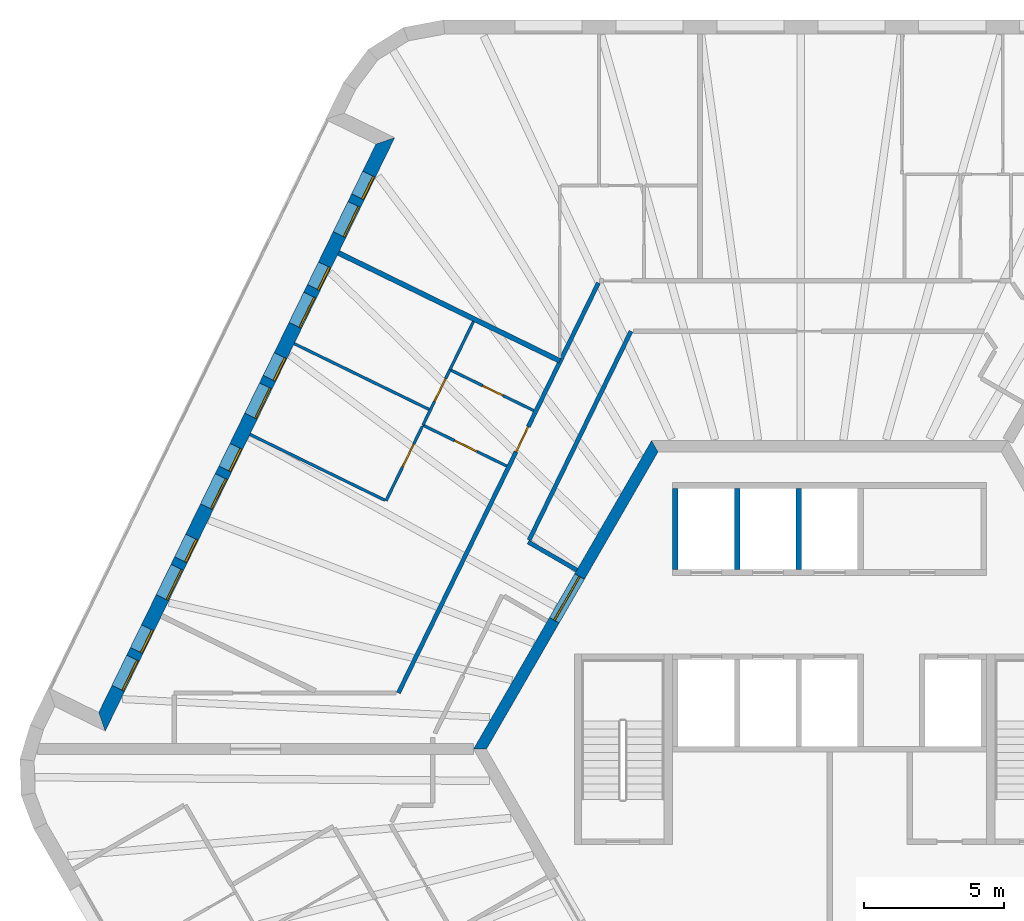
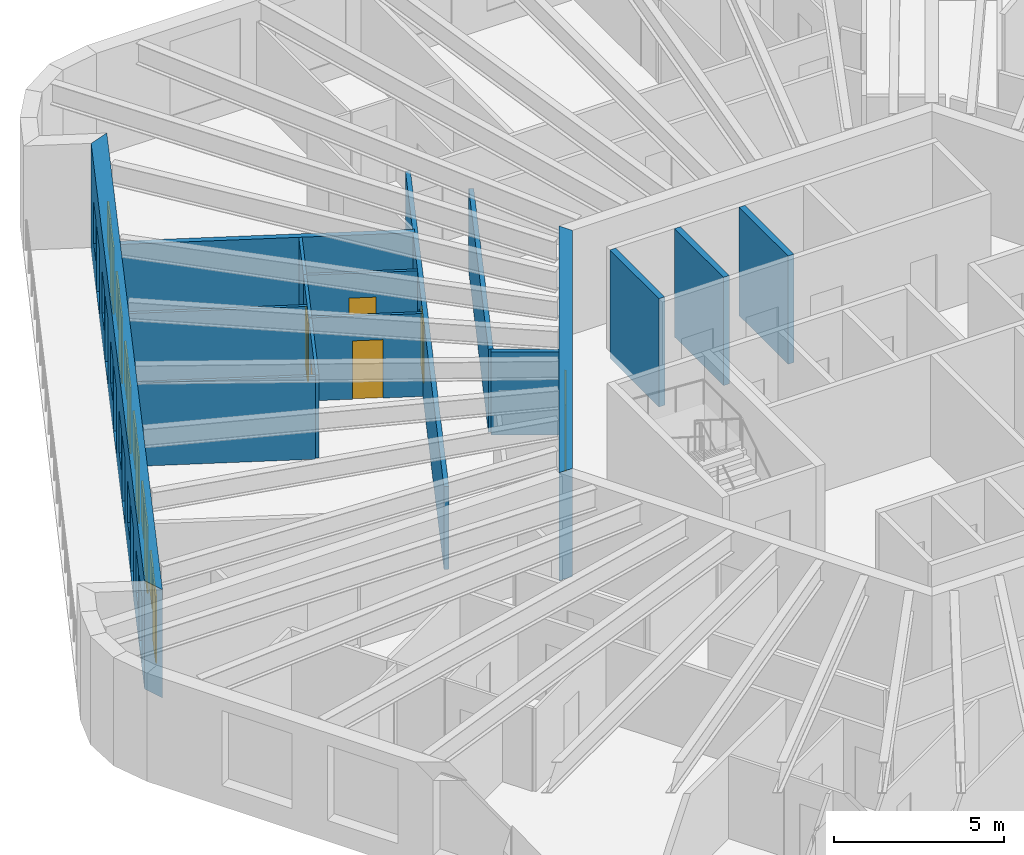
# One storey, part 8 of 12: 16 walls, 12 doors, 6 windows, 18 openings.
"""IFC4 building model written with IfcOpenShell, lengths in metres."""

from ifc_helpers import new_model, si_unit, direction, frame, frame_2d, origin, place, context, subcontext, project, spatial, polyline, rectangle, outline, extrude, material, layer, layer_set, type_object, element, fill, save


model = new_model("IFC4")

# Units and contexts
model_context = context("Model", 3, precision=1e-05, world=origin(), true_north=direction((0.0, 1.0)))
body_context = subcontext(model_context, "Body", "Model", "MODEL_VIEW")
ifc_project = project(units=[si_unit("LENGTHUNIT", "METRE"), si_unit("AREAUNIT", "SQUARE_METRE"), si_unit("VOLUMEUNIT", "CUBIC_METRE"), si_unit("PLANEANGLEUNIT", "RADIAN"), si_unit("MASSUNIT", "GRAM", prefix="KILO")], contexts=[model_context])

# Site, building, storey
site_placement = place(None, origin())
site = spatial("IfcSite", under=ifc_project, at=site_placement, CompositionType="ELEMENT")
building_placement = place(site_placement, origin())
building = spatial("IfcBuilding", under=site, at=building_placement, Name="Tarnside Tower", CompositionType="ELEMENT")
storey_placement = place(building_placement, frame((0.0, 0.0, 322.5)))
storey = spatial("IfcBuildingStorey", under=building, at=storey_placement, Name="L78", CompositionType="ELEMENT", Elevation=322.5)

# Wall, opening, door
ifc_material_1 = material(Name="Gypsum board partition on steel studs", Category="steel")
ifc_layer_1 = layer(ifc_material_1, 0.10009765625)
ifc_layer_set_1 = layer_set([ifc_layer_1], Name="Bathroom wall 100")
wall_type_1 = type_object("IfcWallType", Name="Bathroom wall 100", PredefinedType="PARTITIONING", material=ifc_layer_set_1)
wall_1_placement = place(storey_placement, frame((-10.551025390625, 12.07177734375, 0.0), z_axis=(0.0, 0.0, 1.0), x_axis=(-0.898803726577, 0.438351298723, 0.0)))
wall_1 = element("IfcWall", 1, at=wall_1_placement, inside=storey, type_object=wall_type_1, Name="Bathroom wall 25108", PredefinedType="PARTITIONING", context=body_context, shape_type="SweptSolid", body=[
    extrude(rectangle(XDim=3.324951171875, YDim=0.10009765625, at=frame_2d((1.66259765625, 0.0))), origin(), (0.0, 0.0, 1.0), 2.98779296875),
])
opening_1_placement = place(wall_1_placement, frame((1.22509765625, 0.0, 0.0)))
opening_1 = element("IfcOpeningElement", 2, at=opening_1_placement, cuts=wall_1, Name="Opening D-B1", PredefinedType="OPENING", context=body_context, shape_type="SweptSolid", body=[
    extrude(rectangle(XDim=0.800048828125, YDim=2.10009765625, at=frame_2d((0.39990234375, 1.050048828125))), frame((0.0, 0.06005859375, 0.0), z_axis=(0.0, -1.0, 0.0), x_axis=(1.0, 0.0, 0.0)), (0.0, 0.0, 1.0), 0.1201171875),
])
ifc_material_2 = material(Name="Timber door leaf", Category="wood")
door_type_1 = type_object("IfcDoorType", Name="Bathroom door 800", OperationType="NOTDEFINED", PredefinedType="DOOR", material=ifc_material_2)
door_1_placement = place(opening_1_placement, origin())
door_1 = element("IfcDoor", 3, at=door_1_placement, inside=storey, type_object=door_type_1, Name="Bathroom door 25017", OperationType="SINGLE_SWING_RIGHT", OverallHeight=2.10009765625, OverallWidth=0.800048828125, PredefinedType="DOOR", context=body_context, shape_type="SweptSolid", body=[
    extrude(rectangle(XDim=0.800048828125, YDim=2.10009765625, at=frame_2d((0.39990234375, 1.050048828125))), frame((0.0, 0.02490234375, 0.0), z_axis=(0.0, -1.0, 0.0), x_axis=(1.0, 0.0, 0.0)), (0.0, 0.0, 1.0), 0.050048828125),
])
fill(opening_1, door_1)

# Wall
wall_2_placement = place(storey_placement, frame((-12.7021484375, 15.245849609375, 0.0), z_axis=(0.0, 0.0, 1.0), x_axis=(-0.438355705964, -0.898801577128, 0.0)))
element("IfcWall", 4, at=wall_2_placement, inside=storey, type_object=wall_type_1, Name="Bathroom wall 25111", PredefinedType="PARTITIONING", context=body_context, shape_type="SweptSolid", body=[
    extrude(rectangle(XDim=1.912109375, YDim=0.10009765625, at=frame_2d((0.9560546875, 0.0))), origin(), (0.0, 0.0, 1.0), 2.98779296875),
])

# Wall, opening, door
ifc_material_3 = material(Name="Concrete C60/75", Category="concrete")
ifc_layer_2 = layer(ifc_material_3, 0.39990234375)
ifc_layer_set_2 = layer_set([ifc_layer_2], Name="Core wall Z3 400 C60/75")
wall_type_2 = type_object("IfcWallType", Name="Core wall Z3 400 C60/75", PredefinedType="SHEAR", material=ifc_layer_set_2)
wall_3_placement = place(storey_placement, frame((-6.2353515625, 10.800048828125, -0.14990234375), z_axis=(0.0, 0.0, 1.0), x_axis=(-0.499996419489, -0.866027470984, 0.0)))
wall_3 = element("IfcWall", 5, at=wall_3_placement, inside=storey, type_object=wall_type_2, Name="L78 core wall face 2", PredefinedType="SHEAR", context=body_context, shape_type="SweptSolid", body=[
    extrude(outline(polyline([(-0.115478515625, -0.199951171875), (12.586181640625, -0.199951171875), (12.355224609375, 0.199951171875), (0.115478515625, 0.199951171875), (-0.115478515625, -0.199951171875)])), origin(), (0.0, 0.0, 1.0), 3.89990234375),
])
opening_2_placement = place(wall_3_placement, frame((5.3642578125, 0.0, 0.14990234375)))
opening_2 = element("IfcOpeningElement", 6, at=opening_2_placement, cuts=wall_3, Name="Opening CD-LOB", PredefinedType="OPENING", context=body_context, shape_type="SweptSolid", body=[
    extrude(rectangle(XDim=1.800048828125, YDim=2.39990234375, at=frame_2d((0.89990234375, 1.199951171875))), frame((0.0, 0.2099609375, 0.0), z_axis=(0.0, -1.0, 0.0), x_axis=(1.0, 0.0, 0.0)), (0.0, 0.0, 1.0), 0.419921875),
])
ifc_material_4 = material(Name="Steel fire door", Category="steel")
door_type_2 = type_object("IfcDoorType", Name="Lobby double door FD30S 1800x2400", OperationType="NOTDEFINED", PredefinedType="DOOR", material=ifc_material_4)
door_2_placement = place(opening_2_placement, origin())
door_2 = element("IfcDoor", 7, at=door_2_placement, inside=storey, type_object=door_type_2, Name="L78 core door P1", OperationType="DOUBLE_DOOR_SINGLE_SWING", OverallHeight=2.39990234375, OverallWidth=1.800048828125, PredefinedType="DOOR", context=body_context, shape_type="SweptSolid", body=[
    extrude(rectangle(XDim=1.800048828125, YDim=2.39990234375, at=frame_2d((0.89990234375, 1.199951171875))), frame((0.0, 0.02490234375, 0.0), z_axis=(0.0, -1.0, 0.0), x_axis=(1.0, 0.0, 0.0)), (0.0, 0.0, 1.0), 0.050048828125),
])
fill(opening_2, door_2)

ifc_layer_3 = layer(ifc_material_1, 0.14990234375)
ifc_layer_set_3 = layer_set([ifc_layer_3], Name="Corridor wall 150 EI 60")
wall_type_3 = type_object("IfcWallType", Name="Corridor wall 150 EI 60", PredefinedType="PARTITIONING", material=ifc_layer_set_3)
wall_4_placement = place(storey_placement, frame((-8.24658203125, 16.625, 0.0), z_axis=(0.0, 0.0, 1.0), x_axis=(-0.438381655451, -0.898788920806, 0.0)))
wall_4 = element("IfcWall", 8, at=wall_4_placement, inside=storey, type_object=wall_type_3, Name="Corridor wall 25011", PredefinedType="PARTITIONING", context=body_context, shape_type="SweptSolid", body=[
    extrude(rectangle(XDim=16.27197265625, YDim=0.14990234375, at=frame_2d((8.135986328125, 0.0))), origin(), (0.0, 0.0, 1.0), 2.98779296875),
])
opening_3_placement = place(wall_4_placement, frame((5.70263671875, 0.0, 0.0)))
opening_3 = element("IfcOpeningElement", 9, at=opening_3_placement, cuts=wall_4, Name="Opening D-E1", PredefinedType="OPENING", context=body_context, shape_type="SweptSolid", body=[
    extrude(rectangle(XDim=1.0, YDim=2.10009765625, at=frame_2d((0.5, 1.050048828125))), frame((0.0, 0.0849609375, 0.0), z_axis=(0.0, -1.0, 0.0), x_axis=(1.0, 0.0, 0.0)), (0.0, 0.0, 1.0), 0.169921875),
])
door_type_3 = type_object("IfcDoorType", Name="Unit entrance door 1000 FD30S", OperationType="NOTDEFINED", PredefinedType="DOOR", material=ifc_material_2)
door_3_placement = place(opening_3_placement, origin())
door_3 = element("IfcDoor", 10, at=door_3_placement, inside=storey, type_object=door_type_3, Name="Unit door 25016", OperationType="SINGLE_SWING_LEFT", OverallHeight=2.10009765625, OverallWidth=1.0, PredefinedType="DOOR", context=body_context, shape_type="SweptSolid", body=[
    extrude(rectangle(XDim=1.0, YDim=2.10009765625, at=frame_2d((0.5, 1.050048828125))), frame((0.0, 0.02490234375, 0.0), z_axis=(0.0, -1.0, 0.0), x_axis=(1.0, 0.0, 0.0)), (0.0, 0.0, 1.0), 0.050048828125),
])
fill(opening_3, door_3)

# Walls
wall_5_placement = place(storey_placement, frame((-9.015625, 6.38427734375, 0.0), z_axis=(0.0, 0.0, 1.0), x_axis=(-0.866029291668, 0.499993265928, 0.0)))
element("IfcWall", 11, at=wall_5_placement, inside=storey, type_object=wall_type_3, Name="Corridor wall 25019", PredefinedType="PARTITIONING", context=body_context, shape_type="SweptSolid", body=[
    extrude(rectangle(XDim=2.0029296875, YDim=0.14990234375, at=frame_2d((1.00146484375, 0.0))), origin(), (0.0, 0.0, 1.0), 2.98779296875),
])
wall_6_placement = place(storey_placement, frame((-10.71728515625, 7.453369140625, 0.0), z_axis=(0.0, 0.0, 1.0), x_axis=(0.438363251035, 0.898797897273, 0.0)))
element("IfcWall", 12, at=wall_6_placement, inside=storey, type_object=wall_type_3, Name="Corridor wall 25020", PredefinedType="PARTITIONING", context=body_context, shape_type="SweptSolid", body=[
    extrude(rectangle(XDim=8.284912109375, YDim=0.14990234375, at=frame_2d((4.142578125, 0.0))), origin(), (0.0, 0.0, 1.0), 2.98779296875),
])
ifc_layer_4 = layer(ifc_material_1, 0.179931640625)
ifc_layer_set_4 = layer_set([ifc_layer_4], Name="Demising wall 180 EI 60")
wall_type_4 = type_object("IfcWallType", Name="Demising wall 180 EI 60", PredefinedType="PARTITIONING", material=ifc_layer_set_4)
wall_7_placement = place(storey_placement, frame((-17.51611328125, 17.694091796875, 0.0), z_axis=(0.0, 0.0, 1.0), x_axis=(0.898787414812, -0.438384743092, 0.0)))
element("IfcWall", 13, at=wall_7_placement, inside=storey, type_object=wall_type_4, Name="Demising wall 25099", PredefinedType="PARTITIONING", context=body_context, shape_type="SweptSolid", body=[
    extrude(rectangle(XDim=8.781982421875, YDim=0.179931640625, at=frame_2d((4.39111328125, 0.0))), origin(), (0.0, 0.0, 1.0), 2.98779296875),
])
ifc_material_5 = material(Name="Concrete C40/50", Category="concrete")
ifc_layer_5 = layer(ifc_material_5, 0.199951171875)
ifc_layer_set_5 = layer_set([ifc_layer_5], Name="Lift shaft wall 200 C40/50")
wall_type_5 = type_object("IfcWallType", Name="Lift shaft wall 200 C40/50", PredefinedType="SHEAR", material=ifc_layer_set_5)
for number, where, z_axis, x_axis, name in (
    (14, (-5.5, 6.39990234375, -0.25), (0.0, 0.0, 1.0), (0.0, 1.0, 0.0), "L78 lift shaft partition R11"),
    (15, (-3.300048828125, 6.39990234375, -0.25), (0.0, 0.0, 1.0), (0.0, 1.0, 0.0), "L78 lift shaft partition R12"),
    (16, (-1.10009765625, 6.39990234375, -0.25), (0.0, 0.0, 1.0), (0.0, 1.0, 0.0), "L78 lift shaft partition R13"),
):
    element("IfcWall", number, at=place(storey_placement, frame(where, z_axis=z_axis, x_axis=x_axis)), inside=storey, type_object=wall_type_5, Name=name, PredefinedType="SHEAR", context=body_context, shape_type="SweptSolid", body=[
        extrude(rectangle(XDim=2.900146484375, YDim=0.199951171875, at=frame_2d((1.4501953125, 0.0))), origin(), (0.0, 0.0, 1.0), 3.89990234375),
    ])

# Wall, openings, doors, windows
ifc_material_6 = material(Name="Dark zinc cladding")
ifc_layer_6 = layer(ifc_material_6, 0.10205078125)
ifc_material_7 = material(Name="Concrete C60/75 precast", Category="concrete")
ifc_layer_7 = layer(ifc_material_7, 0.298095703125)
ifc_material_8 = material(Name="Mineral wool insulation")
ifc_layer_8 = layer(ifc_material_8, 0.10009765625)
ifc_layer_set_6 = layer_set([ifc_layer_6, ifc_layer_7, ifc_layer_8], Name="Loggia wall 500 zinc faced")
wall_type_6 = type_object("IfcWallType", Name="Loggia wall 500 zinc faced", PredefinedType="SOLIDWALL", material=ifc_layer_set_6)
wall_8_placement = place(storey_placement, frame((-15.845947265625, 21.6884765625, -0.14990234375), z_axis=(0.0, 0.0, 1.0), x_axis=(-0.438377502627, -0.898790946322, 0.0)))
wall_8 = element("IfcWall", 17, at=wall_8_placement, inside=storey, type_object=wall_type_6, Name="Tube wall L78 F2 back 06", PredefinedType="SOLIDWALL", context=body_context, shape_type="SweptSolid", body=[
    extrude(outline(polyline([(0.25, -0.25), (22.794677734375, -0.25), (23.294677734375, 0.25), (-0.25, 0.25), (0.25, -0.25)])), origin(), (0.0, 0.0, 1.0), 3.89990234375),
])
opening_4_placement = place(wall_8_placement, frame((1.322509765625, 0.0, 1.050048828125)))
opening_4 = element("IfcOpeningElement", 18, at=opening_4_placement, cuts=wall_8, Name="Opening WL500", PredefinedType="OPENING", context=body_context, shape_type="SweptSolid", body=[
    extrude(rectangle(XDim=0.89990234375, YDim=1.5, at=frame_2d((0.449951171875, 0.75))), frame((0.0, 0.260009765625, 0.0), z_axis=(0.0, -1.0, 0.0), x_axis=(1.0, 0.0, 0.0)), (0.0, 0.0, 1.0), 0.52001953125),
])
opening_5_placement = place(wall_8_placement, frame((2.5224609375, 0.0, 0.14990234375)))
opening_5 = element("IfcOpeningElement", 19, at=opening_5_placement, cuts=wall_8, Name="Opening DB500", PredefinedType="OPENING", context=body_context, shape_type="SweptSolid", body=[
    extrude(rectangle(XDim=1.199951171875, YDim=2.39990234375, at=frame_2d((0.60009765625, 1.199951171875))), frame((0.0, 0.260009765625, 0.0), z_axis=(0.0, -1.0, 0.0), x_axis=(1.0, 0.0, 0.0)), (0.0, 0.0, 1.0), 0.52001953125),
])
opening_6_placement = place(wall_8_placement, frame((4.92236328125, 0.0, 1.050048828125)))
opening_6 = element("IfcOpeningElement", 20, at=opening_6_placement, cuts=wall_8, Name="Opening WL500", PredefinedType="OPENING", context=body_context, shape_type="SweptSolid", body=[
    extrude(rectangle(XDim=0.89990234375, YDim=1.5, at=frame_2d((0.449951171875, 0.75))), frame((0.0, 0.260009765625, 0.0), z_axis=(0.0, -1.0, 0.0), x_axis=(1.0, 0.0, 0.0)), (0.0, 0.0, 1.0), 0.52001953125),
])
opening_7_placement = place(wall_8_placement, frame((6.122314453125, 0.0, 0.14990234375)))
opening_7 = element("IfcOpeningElement", 21, at=opening_7_placement, cuts=wall_8, Name="Opening DB500", PredefinedType="OPENING", context=body_context, shape_type="SweptSolid", body=[
    extrude(rectangle(XDim=1.199951171875, YDim=2.39990234375, at=frame_2d((0.60009765625, 1.199951171875))), frame((0.0, 0.260009765625, 0.0), z_axis=(0.0, -1.0, 0.0), x_axis=(1.0, 0.0, 0.0)), (0.0, 0.0, 1.0), 0.52001953125),
])
opening_8_placement = place(wall_8_placement, frame((8.5224609375, 0.0, 1.050048828125)))
opening_8 = element("IfcOpeningElement", 22, at=opening_8_placement, cuts=wall_8, Name="Opening WL500", PredefinedType="OPENING", context=body_context, shape_type="SweptSolid", body=[
    extrude(rectangle(XDim=0.89990234375, YDim=1.5, at=frame_2d((0.449951171875, 0.75))), frame((0.0, 0.260009765625, 0.0), z_axis=(0.0, -1.0, 0.0), x_axis=(1.0, 0.0, 0.0)), (0.0, 0.0, 1.0), 0.52001953125),
])
opening_9_placement = place(wall_8_placement, frame((9.722412109375, 0.0, 0.14990234375)))
opening_9 = element("IfcOpeningElement", 23, at=opening_9_placement, cuts=wall_8, Name="Opening DB500", PredefinedType="OPENING", context=body_context, shape_type="SweptSolid", body=[
    extrude(rectangle(XDim=1.199951171875, YDim=2.39990234375, at=frame_2d((0.60009765625, 1.199951171875))), frame((0.0, 0.260009765625, 0.0), z_axis=(0.0, -1.0, 0.0), x_axis=(1.0, 0.0, 0.0)), (0.0, 0.0, 1.0), 0.52001953125),
])
opening_10_placement = place(wall_8_placement, frame((12.122314453125, 0.0, 1.050048828125)))
opening_10 = element("IfcOpeningElement", 24, at=opening_10_placement, cuts=wall_8, Name="Opening WL500", PredefinedType="OPENING", context=body_context, shape_type="SweptSolid", body=[
    extrude(rectangle(XDim=0.89990234375, YDim=1.5, at=frame_2d((0.449951171875, 0.75))), frame((0.0, 0.260009765625, 0.0), z_axis=(0.0, -1.0, 0.0), x_axis=(1.0, 0.0, 0.0)), (0.0, 0.0, 1.0), 0.52001953125),
])
opening_11_placement = place(wall_8_placement, frame((13.322509765625, 0.0, 0.14990234375)))
opening_11 = element("IfcOpeningElement", 25, at=opening_11_placement, cuts=wall_8, Name="Opening DB500", PredefinedType="OPENING", context=body_context, shape_type="SweptSolid", body=[
    extrude(rectangle(XDim=1.199951171875, YDim=2.39990234375, at=frame_2d((0.60009765625, 1.199951171875))), frame((0.0, 0.260009765625, 0.0), z_axis=(0.0, -1.0, 0.0), x_axis=(1.0, 0.0, 0.0)), (0.0, 0.0, 1.0), 0.52001953125),
])
opening_12_placement = place(wall_8_placement, frame((15.722412109375, 0.0, 1.050048828125)))
opening_12 = element("IfcOpeningElement", 26, at=opening_12_placement, cuts=wall_8, Name="Opening WL500", PredefinedType="OPENING", context=body_context, shape_type="SweptSolid", body=[
    extrude(rectangle(XDim=0.89990234375, YDim=1.5, at=frame_2d((0.449951171875, 0.75))), frame((0.0, 0.260009765625, 0.0), z_axis=(0.0, -1.0, 0.0), x_axis=(1.0, 0.0, 0.0)), (0.0, 0.0, 1.0), 0.52001953125),
])
opening_13_placement = place(wall_8_placement, frame((16.92236328125, 0.0, 0.14990234375)))
opening_13 = element("IfcOpeningElement", 27, at=opening_13_placement, cuts=wall_8, Name="Opening DB500", PredefinedType="OPENING", context=body_context, shape_type="SweptSolid", body=[
    extrude(rectangle(XDim=1.199951171875, YDim=2.39990234375, at=frame_2d((0.60009765625, 1.199951171875))), frame((0.0, 0.260009765625, 0.0), z_axis=(0.0, -1.0, 0.0), x_axis=(1.0, 0.0, 0.0)), (0.0, 0.0, 1.0), 0.52001953125),
])
opening_14_placement = place(wall_8_placement, frame((19.322509765625, 0.0, 1.050048828125)))
opening_14 = element("IfcOpeningElement", 28, at=opening_14_placement, cuts=wall_8, Name="Opening WL500", PredefinedType="OPENING", context=body_context, shape_type="SweptSolid", body=[
    extrude(rectangle(XDim=0.89990234375, YDim=1.5, at=frame_2d((0.449951171875, 0.75))), frame((0.0, 0.260009765625, 0.0), z_axis=(0.0, -1.0, 0.0), x_axis=(1.0, 0.0, 0.0)), (0.0, 0.0, 1.0), 0.52001953125),
])
opening_15_placement = place(wall_8_placement, frame((20.5224609375, 0.0, 0.14990234375)))
opening_15 = element("IfcOpeningElement", 29, at=opening_15_placement, cuts=wall_8, Name="Opening DB500", PredefinedType="OPENING", context=body_context, shape_type="SweptSolid", body=[
    extrude(rectangle(XDim=1.199951171875, YDim=2.39990234375, at=frame_2d((0.60009765625, 1.199951171875))), frame((0.0, 0.260009765625, 0.0), z_axis=(0.0, -1.0, 0.0), x_axis=(1.0, 0.0, 0.0)), (0.0, 0.0, 1.0), 0.52001953125),
])
ifc_material_9 = material(Name="Aluminium-framed double glazing", Category="aluminium")
door_type_4 = type_object("IfcDoorType", Name="Balcony sliding door 1200 x 2400 in 500 wall", OperationType="SLIDING_TO_LEFT", PredefinedType="DOOR", material=ifc_material_9)
door_4_placement = place(opening_5_placement, frame((0.0, 0.1748046875, 0.0)))
door_4 = element("IfcDoor", 30, at=door_4_placement, inside=storey, type_object=door_type_4, Name="E.BD.L78.F2.00", OperationType="SLIDING_TO_LEFT", OverallHeight=2.39990234375, OverallWidth=1.199951171875, PredefinedType="DOOR", context=body_context, shape_type="SweptSolid", body=[
    extrude(rectangle(XDim=1.199951171875, YDim=2.39990234375, at=frame_2d((0.60009765625, 1.199951171875))), frame((0.0, 0.02490234375, 0.0), z_axis=(0.0, -1.0, 0.0), x_axis=(1.0, 0.0, 0.0)), (0.0, 0.0, 1.0), 0.050048828125),
])
fill(opening_5, door_4)
door_5_placement = place(opening_7_placement, frame((0.0, 0.1748046875, 0.0)))
door_5 = element("IfcDoor", 31, at=door_5_placement, inside=storey, type_object=door_type_4, Name="E.BD.L78.F2.01", OperationType="SLIDING_TO_LEFT", OverallHeight=2.39990234375, OverallWidth=1.199951171875, PredefinedType="DOOR", context=body_context, shape_type="SweptSolid", body=[
    extrude(rectangle(XDim=1.199951171875, YDim=2.39990234375, at=frame_2d((0.60009765625, 1.199951171875))), frame((0.0, 0.02490234375, 0.0), z_axis=(0.0, -1.0, 0.0), x_axis=(1.0, 0.0, 0.0)), (0.0, 0.0, 1.0), 0.050048828125),
])
fill(opening_7, door_5)
door_6_placement = place(opening_9_placement, frame((0.0, 0.1748046875, 0.0)))
door_6 = element("IfcDoor", 32, at=door_6_placement, inside=storey, type_object=door_type_4, Name="E.BD.L78.F2.02", OperationType="SLIDING_TO_LEFT", OverallHeight=2.39990234375, OverallWidth=1.199951171875, PredefinedType="DOOR", context=body_context, shape_type="SweptSolid", body=[
    extrude(rectangle(XDim=1.199951171875, YDim=2.39990234375, at=frame_2d((0.60009765625, 1.199951171875))), frame((0.0, 0.02490234375, 0.0), z_axis=(0.0, -1.0, 0.0), x_axis=(1.0, 0.0, 0.0)), (0.0, 0.0, 1.0), 0.050048828125),
])
fill(opening_9, door_6)
door_7_placement = place(opening_11_placement, frame((0.0, 0.1748046875, 0.0)))
door_7 = element("IfcDoor", 33, at=door_7_placement, inside=storey, type_object=door_type_4, Name="E.BD.L78.F2.03", OperationType="SLIDING_TO_LEFT", OverallHeight=2.39990234375, OverallWidth=1.199951171875, PredefinedType="DOOR", context=body_context, shape_type="SweptSolid", body=[
    extrude(rectangle(XDim=1.199951171875, YDim=2.39990234375, at=frame_2d((0.60009765625, 1.199951171875))), frame((0.0, 0.02490234375, 0.0), z_axis=(0.0, -1.0, 0.0), x_axis=(1.0, 0.0, 0.0)), (0.0, 0.0, 1.0), 0.050048828125),
])
fill(opening_11, door_7)
door_8_placement = place(opening_13_placement, frame((0.0, 0.1748046875, 0.0)))
door_8 = element("IfcDoor", 34, at=door_8_placement, inside=storey, type_object=door_type_4, Name="E.BD.L78.F2.04", OperationType="SLIDING_TO_LEFT", OverallHeight=2.39990234375, OverallWidth=1.199951171875, PredefinedType="DOOR", context=body_context, shape_type="SweptSolid", body=[
    extrude(rectangle(XDim=1.199951171875, YDim=2.39990234375, at=frame_2d((0.60009765625, 1.199951171875))), frame((0.0, 0.02490234375, 0.0), z_axis=(0.0, -1.0, 0.0), x_axis=(1.0, 0.0, 0.0)), (0.0, 0.0, 1.0), 0.050048828125),
])
fill(opening_13, door_8)
door_9_placement = place(opening_15_placement, frame((0.0, 0.1748046875, 0.0)))
door_9 = element("IfcDoor", 35, at=door_9_placement, inside=storey, type_object=door_type_4, Name="E.BD.L78.F2.05", OperationType="SLIDING_TO_LEFT", OverallHeight=2.39990234375, OverallWidth=1.199951171875, PredefinedType="DOOR", context=body_context, shape_type="SweptSolid", body=[
    extrude(rectangle(XDim=1.199951171875, YDim=2.39990234375, at=frame_2d((0.60009765625, 1.199951171875))), frame((0.0, 0.02490234375, 0.0), z_axis=(0.0, -1.0, 0.0), x_axis=(1.0, 0.0, 0.0)), (0.0, 0.0, 1.0), 0.050048828125),
])
fill(opening_15, door_9)
window_type = type_object("IfcWindowType", Name="Loggia window 900 x 1500 in 500 wall", PartitioningType="SINGLE_PANEL", PredefinedType="WINDOW", material=ifc_material_9)
window_1_placement = place(opening_4_placement, frame((0.0, 0.179931640625, 0.0)))
window_1 = element("IfcWindow", 36, at=window_1_placement, inside=storey, type_object=window_type, Name="E.LW.L78.F2.00", OverallHeight=1.5, OverallWidth=0.89990234375, PartitioningType="SINGLE_PANEL", PredefinedType="WINDOW", context=body_context, shape_type="SweptSolid", body=[
    extrude(rectangle(XDim=0.89990234375, YDim=1.5, at=frame_2d((0.449951171875, 0.75))), frame((0.0, 0.030029296875, 0.0), z_axis=(0.0, -1.0, 0.0), x_axis=(1.0, 0.0, 0.0)), (0.0, 0.0, 1.0), 0.06005859375),
])
fill(opening_4, window_1)
window_2_placement = place(opening_6_placement, frame((0.0, 0.179931640625, 0.0)))
window_2 = element("IfcWindow", 37, at=window_2_placement, inside=storey, type_object=window_type, Name="E.LW.L78.F2.01", OverallHeight=1.5, OverallWidth=0.89990234375, PartitioningType="SINGLE_PANEL", PredefinedType="WINDOW", context=body_context, shape_type="SweptSolid", body=[
    extrude(rectangle(XDim=0.89990234375, YDim=1.5, at=frame_2d((0.449951171875, 0.75))), frame((0.0, 0.030029296875, 0.0), z_axis=(0.0, -1.0, 0.0), x_axis=(1.0, 0.0, 0.0)), (0.0, 0.0, 1.0), 0.06005859375),
])
fill(opening_6, window_2)
window_3_placement = place(opening_8_placement, frame((0.0, 0.179931640625, 0.0)))
window_3 = element("IfcWindow", 38, at=window_3_placement, inside=storey, type_object=window_type, Name="E.LW.L78.F2.02", OverallHeight=1.5, OverallWidth=0.89990234375, PartitioningType="SINGLE_PANEL", PredefinedType="WINDOW", context=body_context, shape_type="SweptSolid", body=[
    extrude(rectangle(XDim=0.89990234375, YDim=1.5, at=frame_2d((0.449951171875, 0.75))), frame((0.0, 0.030029296875, 0.0), z_axis=(0.0, -1.0, 0.0), x_axis=(1.0, 0.0, 0.0)), (0.0, 0.0, 1.0), 0.06005859375),
])
fill(opening_8, window_3)
window_4_placement = place(opening_10_placement, frame((0.0, 0.179931640625, 0.0)))
window_4 = element("IfcWindow", 39, at=window_4_placement, inside=storey, type_object=window_type, Name="E.LW.L78.F2.03", OverallHeight=1.5, OverallWidth=0.89990234375, PartitioningType="SINGLE_PANEL", PredefinedType="WINDOW", context=body_context, shape_type="SweptSolid", body=[
    extrude(rectangle(XDim=0.89990234375, YDim=1.5, at=frame_2d((0.449951171875, 0.75))), frame((0.0, 0.030029296875, 0.0), z_axis=(0.0, -1.0, 0.0), x_axis=(1.0, 0.0, 0.0)), (0.0, 0.0, 1.0), 0.06005859375),
])
fill(opening_10, window_4)
window_5_placement = place(opening_12_placement, frame((0.0, 0.179931640625, 0.0)))
window_5 = element("IfcWindow", 40, at=window_5_placement, inside=storey, type_object=window_type, Name="E.LW.L78.F2.04", OverallHeight=1.5, OverallWidth=0.89990234375, PartitioningType="SINGLE_PANEL", PredefinedType="WINDOW", context=body_context, shape_type="SweptSolid", body=[
    extrude(rectangle(XDim=0.89990234375, YDim=1.5, at=frame_2d((0.449951171875, 0.75))), frame((0.0, 0.030029296875, 0.0), z_axis=(0.0, -1.0, 0.0), x_axis=(1.0, 0.0, 0.0)), (0.0, 0.0, 1.0), 0.06005859375),
])
fill(opening_12, window_5)
window_6_placement = place(opening_14_placement, frame((0.0, 0.179931640625, 0.0)))
window_6 = element("IfcWindow", 41, at=window_6_placement, inside=storey, type_object=window_type, Name="E.LW.L78.F2.05", OverallHeight=1.5, OverallWidth=0.89990234375, PartitioningType="SINGLE_PANEL", PredefinedType="WINDOW", context=body_context, shape_type="SweptSolid", body=[
    extrude(rectangle(XDim=0.89990234375, YDim=1.5, at=frame_2d((0.449951171875, 0.75))), frame((0.0, 0.030029296875, 0.0), z_axis=(0.0, -1.0, 0.0), x_axis=(1.0, 0.0, 0.0)), (0.0, 0.0, 1.0), 0.06005859375),
])
fill(opening_14, window_6)

# Wall, opening, door
ifc_layer_9 = layer(ifc_material_1, 0.10009765625)
ifc_layer_set_7 = layer_set([ifc_layer_9], Name="Partition 100")
wall_type_7 = type_object("IfcWallType", Name="Partition 100", PredefinedType="PARTITIONING", material=ifc_layer_set_7)
wall_9_placement = place(storey_placement, frame((-11.515380859375, 10.09423828125, 0.0), z_axis=(0.0, 0.0, 1.0), x_axis=(-0.898774796437, 0.438410612656, 0.0)))
wall_9 = element("IfcWall", 42, at=wall_9_placement, inside=storey, type_object=wall_type_7, Name="Partition wall 25104", PredefinedType="PARTITIONING", context=body_context, shape_type="SweptSolid", body=[
    extrude(rectangle(XDim=3.3251953125, YDim=0.10009765625, at=frame_2d((1.66259765625, 0.0))), origin(), (0.0, 0.0, 1.0), 2.98779296875),
])
opening_16_placement = place(wall_9_placement, frame((1.175048828125, 0.0, 0.0)))
opening_16 = element("IfcOpeningElement", 43, at=opening_16_placement, cuts=wall_9, Name="Opening D-I1", PredefinedType="OPENING", context=body_context, shape_type="SweptSolid", body=[
    extrude(rectangle(XDim=0.89990234375, YDim=2.10009765625, at=frame_2d((0.449951171875, 1.050048828125))), frame((0.0, 0.06005859375, 0.0), z_axis=(0.0, -1.0, 0.0), x_axis=(1.0, 0.0, 0.0)), (0.0, 0.0, 1.0), 0.1201171875),
])
door_type_5 = type_object("IfcDoorType", Name="Internal door 900", OperationType="NOTDEFINED", PredefinedType="DOOR", material=ifc_material_2)
door_10_placement = place(opening_16_placement, origin())
door_10 = element("IfcDoor", 44, at=door_10_placement, inside=storey, type_object=door_type_5, Name="Internal door 25018", OperationType="SINGLE_SWING_RIGHT", OverallHeight=2.10009765625, OverallWidth=0.89990234375, PredefinedType="DOOR", context=body_context, shape_type="SweptSolid", body=[
    extrude(rectangle(XDim=0.89990234375, YDim=2.10009765625, at=frame_2d((0.449951171875, 1.050048828125))), frame((0.0, 0.02490234375, 0.0), z_axis=(0.0, -1.0, 0.0), x_axis=(1.0, 0.0, 0.0)), (0.0, 0.0, 1.0), 0.050048828125),
])
fill(opening_16, door_10)

wall_10_placement = place(storey_placement, frame((-14.52490234375, 11.5087890625, 0.0), z_axis=(0.0, 0.0, 1.0), x_axis=(-0.438325864236, -0.898816130664, 0.0)))
wall_10 = element("IfcWall", 45, at=wall_10_placement, inside=storey, type_object=wall_type_7, Name="Partition wall 25105", PredefinedType="PARTITIONING", context=body_context, shape_type="SweptSolid", body=[
    extrude(rectangle(XDim=2.951904296875, YDim=0.10009765625, at=frame_2d((1.47607421875, 0.0))), origin(), (0.0, 0.0, 1.0), 2.98779296875),
])
opening_17_placement = place(wall_10_placement, frame((0.701904296875, 0.0, 0.0)))
opening_17 = element("IfcOpeningElement", 46, at=opening_17_placement, cuts=wall_10, Name="Opening D-I1", PredefinedType="OPENING", context=body_context, shape_type="SweptSolid", body=[
    extrude(rectangle(XDim=0.89990234375, YDim=2.10009765625, at=frame_2d((0.449951171875, 1.050048828125))), frame((0.0, 0.06005859375, 0.0), z_axis=(0.0, -1.0, 0.0), x_axis=(1.0, 0.0, 0.0)), (0.0, 0.0, 1.0), 0.1201171875),
])
door_11_placement = place(opening_17_placement, origin())
door_11 = element("IfcDoor", 47, at=door_11_placement, inside=storey, type_object=door_type_5, Name="Internal door 25020", OperationType="SINGLE_SWING_RIGHT", OverallHeight=2.10009765625, OverallWidth=0.89990234375, PredefinedType="DOOR", context=body_context, shape_type="SweptSolid", body=[
    extrude(rectangle(XDim=0.89990234375, YDim=2.10009765625, at=frame_2d((0.449951171875, 1.050048828125))), frame((0.0, 0.02490234375, 0.0), z_axis=(0.0, -1.0, 0.0), x_axis=(1.0, 0.0, 0.0)), (0.0, 0.0, 1.0), 0.050048828125),
])
fill(opening_17, door_11)

# Wall
wall_11_placement = place(storey_placement, frame((-15.864013671875, 8.87744140625, 0.0), z_axis=(0.0, 0.0, 1.0), x_axis=(-0.898792128327, 0.438375079193, 0.0)))
element("IfcWall", 48, at=wall_11_placement, inside=storey, type_object=wall_type_7, Name="Partition wall 25106", PredefinedType="PARTITIONING", context=body_context, shape_type="SweptSolid", body=[
    extrude(rectangle(XDim=5.349853515625, YDim=0.10009765625, at=frame_2d((2.6748046875, 0.0))), origin(), (0.0, 0.0, 1.0), 2.98779296875),
])

# Wall, opening, door
wall_12_placement = place(storey_placement, frame((-13.53857421875, 13.531005859375, 0.0), z_axis=(0.0, 0.0, 1.0), x_axis=(-0.438329783762, -0.898814219217, 0.0)))
wall_12 = element("IfcWall", 49, at=wall_12_placement, inside=storey, type_object=wall_type_7, Name="Partition wall 25109", PredefinedType="PARTITIONING", context=body_context, shape_type="SweptSolid", body=[
    extrude(rectangle(XDim=2.203857421875, YDim=0.10009765625, at=frame_2d((1.10205078125, 0.0))), origin(), (0.0, 0.0, 1.0), 2.98779296875),
])
opening_18_placement = place(wall_12_placement, frame((0.35205078125, 0.0, 0.0)))
opening_18 = element("IfcOpeningElement", 50, at=opening_18_placement, cuts=wall_12, Name="Opening D-I1", PredefinedType="OPENING", context=body_context, shape_type="SweptSolid", body=[
    extrude(rectangle(XDim=0.89990234375, YDim=2.10009765625, at=frame_2d((0.449951171875, 1.050048828125))), frame((0.0, 0.06005859375, 0.0), z_axis=(0.0, -1.0, 0.0), x_axis=(1.0, 0.0, 0.0)), (0.0, 0.0, 1.0), 0.1201171875),
])
door_12_placement = place(opening_18_placement, origin())
door_12 = element("IfcDoor", 51, at=door_12_placement, inside=storey, type_object=door_type_5, Name="Internal door 25019", OperationType="SINGLE_SWING_RIGHT", OverallHeight=2.10009765625, OverallWidth=0.89990234375, PredefinedType="DOOR", context=body_context, shape_type="SweptSolid", body=[
    extrude(rectangle(XDim=0.89990234375, YDim=2.10009765625, at=frame_2d((0.449951171875, 1.050048828125))), frame((0.0, 0.02490234375, 0.0), z_axis=(0.0, -1.0, 0.0), x_axis=(1.0, 0.0, 0.0)), (0.0, 0.0, 1.0), 0.050048828125),
])
fill(opening_18, door_12)

# Wall
wall_13_placement = place(storey_placement, frame((-19.09423828125, 14.45849609375, 0.0), z_axis=(0.0, 0.0, 1.0), x_axis=(0.898774147156, -0.438411943728, 0.0)))
element("IfcWall", 52, at=wall_13_placement, inside=storey, type_object=wall_type_7, Name="Partition wall 25112", PredefinedType="PARTITIONING", context=body_context, shape_type="SweptSolid", body=[
    extrude(rectangle(XDim=5.349853515625, YDim=0.10009765625, at=frame_2d((2.6748046875, 0.0))), origin(), (0.0, 0.0, 1.0), 2.98779296875),
])

save(model, "model.ifc")
